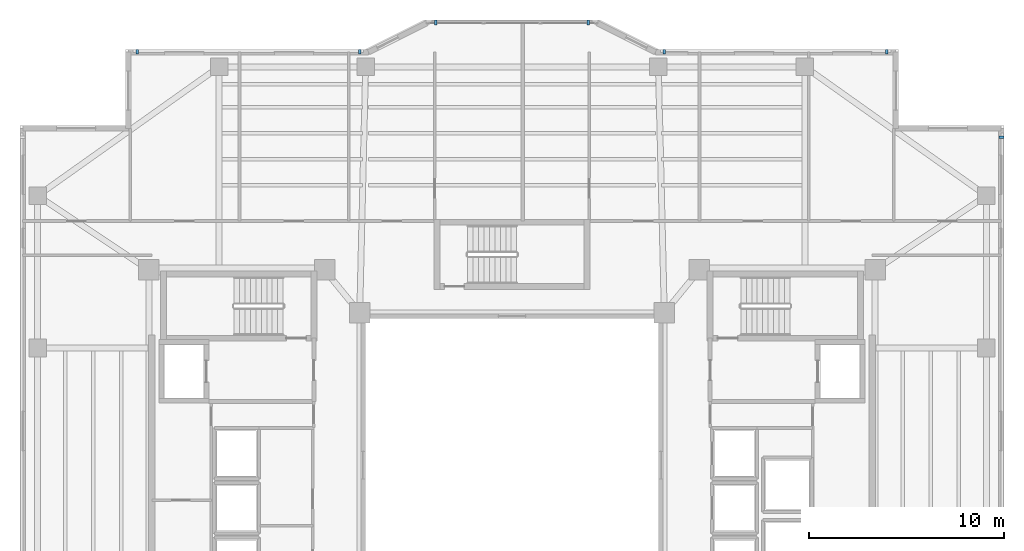
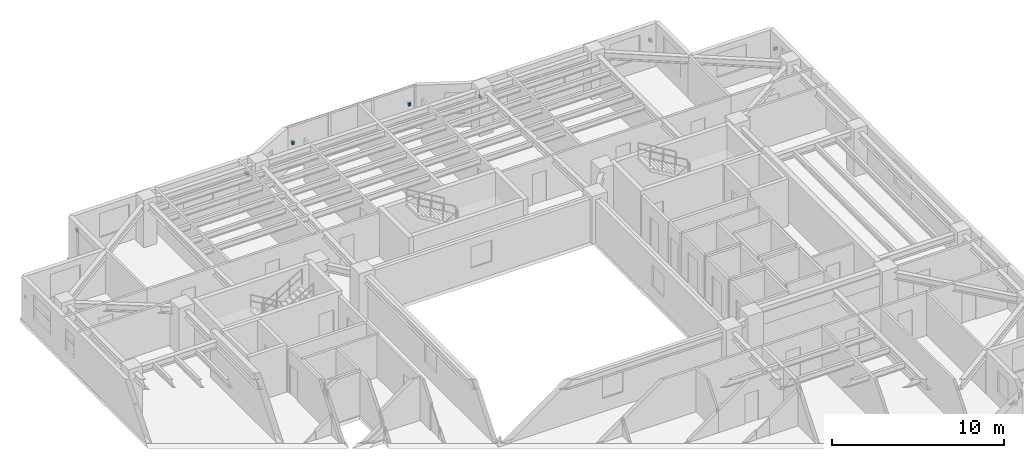
# One storey, part 12 of 15: 7 discrete accessories.
"""IFC4 building model written with IfcOpenShell, lengths in metres."""

from ifc_helpers import new_model, si_unit, direction, frame, origin, origin_2d, place, context, subcontext, project, spatial, rectangle, extrude, material, type_object, element, save


model = new_model("IFC4")

# Units and contexts
model_context = context("Model", 3, precision=1e-05, world=origin(), true_north=direction((0.0, 1.0)))
body_context = subcontext(model_context, "Body", "Model", "MODEL_VIEW")
ifc_project = project(units=[si_unit("LENGTHUNIT", "METRE"), si_unit("AREAUNIT", "SQUARE_METRE"), si_unit("VOLUMEUNIT", "CUBIC_METRE"), si_unit("PLANEANGLEUNIT", "RADIAN"), si_unit("MASSUNIT", "GRAM", prefix="KILO")], contexts=[model_context])

# Site, building, storey
site_placement = place(None, origin())
site = spatial("IfcSite", under=ifc_project, at=site_placement, CompositionType="ELEMENT")
building_placement = place(site_placement, origin())
building = spatial("IfcBuilding", under=site, at=building_placement, Name="Tarnavaz Court Tower", CompositionType="ELEMENT")
storey_placement = place(building_placement, frame((0.0, 0.0, 169.449951171875)))
storey = spatial("IfcBuildingStorey", under=building, at=storey_placement, Name="L46", CompositionType="ELEMENT", Elevation=169.449951171875)

# Discrete accessories
ifc_material = material(Name="Anodised Aluminium 6063-T6", Category="aluminium")
discrete_accessory_type = type_object("IfcDiscreteAccessoryType", Name="DA-BRKT-ALU", PredefinedType="BRACKET", material=ifc_material)
for number, where, z_axis, x_axis, name in (
    (1, (-19.199951171875, 21.169921875, 1.75), (0.0, 0.0, 1.0), (1.0, 0.0, 0.0), "L46 Baguette Outrigger Bracket FBG05-1"),
    (2, (-7.800048828125, 21.169921875, 1.75), (0.0, 0.0, 1.0), (1.0, 0.0, 0.0), "L46 Baguette Outrigger Bracket FBG05-2"),
    (3, (-3.89990234375, 22.669921875, 1.7001953125), (0.0, 0.0, 1.0), (1.0, 0.0, 0.0), "L46 Baguette Outrigger Bracket PBG7-1"),
    (4, (3.89990234375, 22.669921875, 1.7001953125), (0.0, 0.0, 1.0), (1.0, 0.0, 0.0), "L46 Baguette Outrigger Bracket PBG7-2"),
    (5, (7.800048828125, 21.169921875, 1.75), (0.0, 0.0, 1.0), (1.0, 0.0, 0.0), "L46 Baguette Outrigger Bracket FBG09-1"),
    (6, (19.199951171875, 21.169921875, 1.75), (0.0, 0.0, 1.0), (1.0, 0.0, 0.0), "L46 Baguette Outrigger Bracket FBG09-2"),
    (7, (25.070068359375, 16.800048828125, 1.75), (0.0, 0.0, 1.0), (0.0, -1.0, 0.0), "L46 Baguette Outrigger Bracket FBG12-1"),
):
    element("IfcDiscreteAccessory", number, at=place(storey_placement, frame(where, z_axis=z_axis, x_axis=x_axis)), inside=storey, type_object=discrete_accessory_type, Name=name, PredefinedType="BRACKET", context=body_context, shape_type="SweptSolid", body=[
        extrude(rectangle(XDim=0.139892578125, YDim=0.239990234375, at=origin_2d()), origin(), (0.0, 0.0, 1.0), 0.199951171875),
    ])

save(model, "model.ifc")
